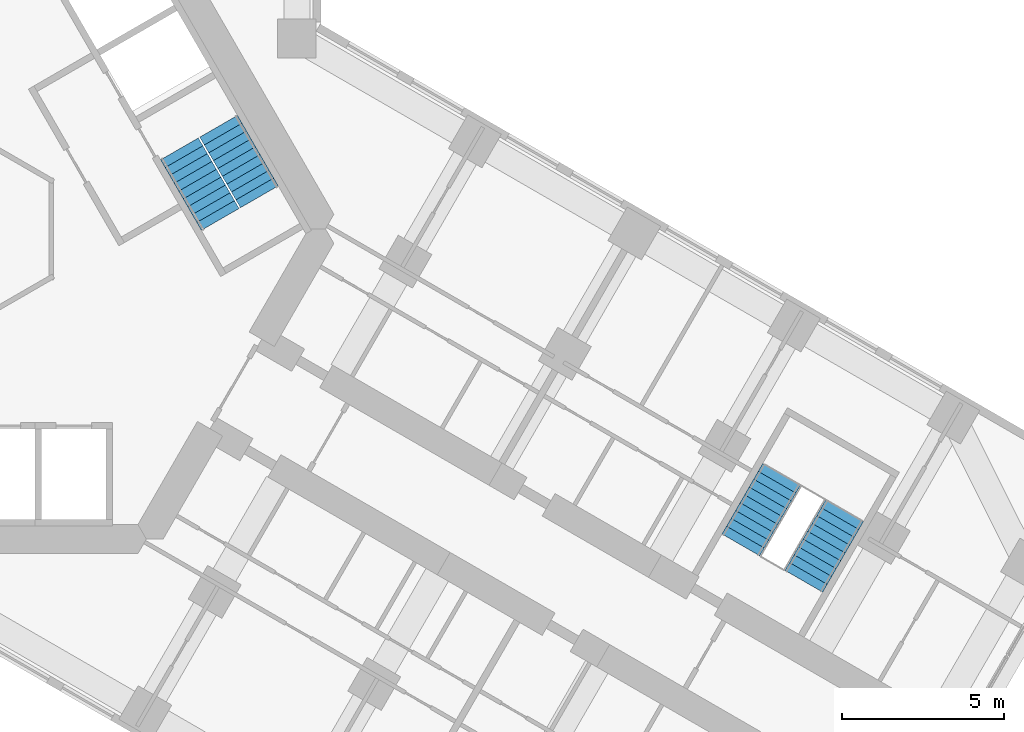
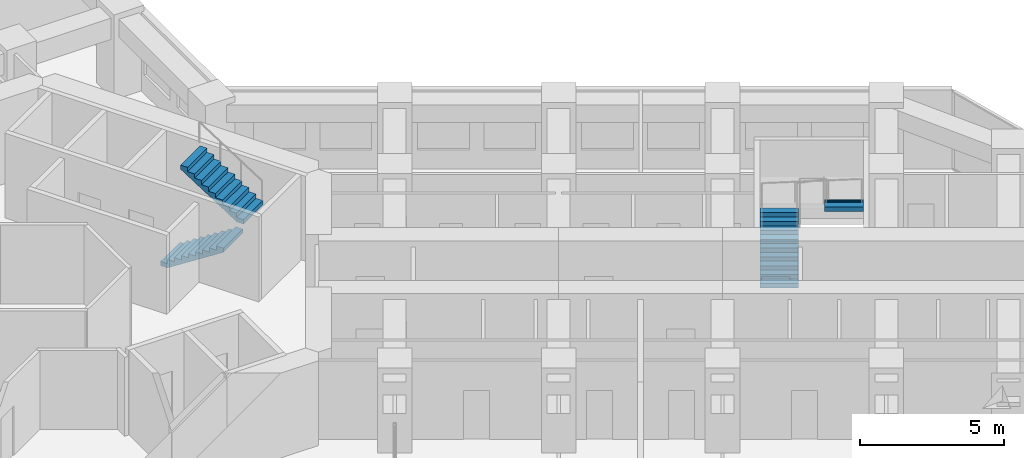
# One storey, part 19 of 20: 4 stair flights, 2 elements without a shape of their own.
"""IFC4 building model written with IfcOpenShell, lengths in metres."""

from ifc_helpers import new_model, si_unit, direction, frame, origin, place, context, subcontext, project, spatial, polyline, outline, extrude, material, type_object, element, aggregate, save


model = new_model("IFC4")

# Units and contexts
model_context = context("Model", 3, precision=1e-05, world=origin(), true_north=direction((0.0, 1.0)))
body_context = subcontext(model_context, "Body", "Model", "MODEL_VIEW")
ifc_project = project(units=[si_unit("LENGTHUNIT", "METRE"), si_unit("AREAUNIT", "SQUARE_METRE"), si_unit("VOLUMEUNIT", "CUBIC_METRE"), si_unit("PLANEANGLEUNIT", "RADIAN"), si_unit("MASSUNIT", "GRAM", prefix="KILO")], contexts=[model_context])

# Site, building, storey
site_placement = place(None, origin())
site = spatial("IfcSite", under=ifc_project, at=site_placement, CompositionType="ELEMENT")
building_placement = place(site_placement, origin())
building = spatial("IfcBuilding", under=site, at=building_placement, Name="Kosmar Iwan School Tower", CompositionType="ELEMENT")
storey_placement = place(building_placement, frame((0.0, 0.0, 123.800048828125)))
storey = spatial("IfcBuildingStorey", under=building, at=storey_placement, Name="L30", CompositionType="ELEMENT", Elevation=123.800048828125)

# Stair, stair flights
ifc_material_1 = material(Name="Concrete C35/45", Category="concrete")
stair_type_1 = type_object("IfcStairType", Name="Escape stair 3600", PredefinedType="HALF_TURN_STAIR", material=ifc_material_1)
stair_1_placement = place(storey_placement, origin())
stair_1 = element("IfcStair", 1, at=stair_1_placement, inside=storey, type_object=stair_type_1, Name="Stair WS3 L30", PredefinedType="HALF_TURN_STAIR")
ifc_material_2 = material(Name="Concrete C35/45", Category="concrete")
stair_flight_type_1 = type_object("IfcStairFlightType", Name="Escape stair flight 1350", PredefinedType="STRAIGHT", material=ifc_material_2)
stair_flight_1_placement = place(storey_placement, frame((23.94189453125, -9.781494140625, 0.0), z_axis=(0.0, 0.0, 1.0), x_axis=(0.5, 0.866025403784, 0.0)))
stair_flight_1 = element("IfcStairFlight", 2, at=stair_flight_1_placement, type_object=stair_flight_type_1, Name="WS3 flight 1", NumberOfRisers=10, NumberOfTreads=9, PredefinedType="STRAIGHT", RiserHeight=0.18, TreadLength=0.28, context=body_context, shape_type="SweptSolid", body=[
    extrude(outline(polyline([(0.0, 0.0), (0.0, 0.179931640625), (0.280029296875, 0.179931640625), (0.280029296875, 0.360107421875), (0.56005859375, 0.360107421875), (0.56005859375, 0.5400390625), (0.840087890625, 0.5400390625), (0.840087890625, 0.719970703125), (1.1201171875, 0.719970703125), (1.1201171875, 0.89990234375), (1.39990234375, 0.89990234375), (1.39990234375, 1.080078125), (1.679931640625, 1.080078125), (1.679931640625, 1.260009765625), (1.9599609375, 1.260009765625), (1.9599609375, 1.43994140625), (2.239990234375, 1.43994140625), (2.239990234375, 1.6201171875), (2.52001953125, 1.6201171875), (2.52001953125, 1.800048828125), (2.52001953125, 1.44189453125), (0.277099609375, 0.0), (0.0, 0.0)])), frame((0.0, 0.675048828125, 0.0), z_axis=(0.0, -1.0, 0.0), x_axis=(1.0, 0.0, 0.0)), (0.0, 0.0, 1.0), 1.35009765625),
])
stair_flight_2_placement = place(storey_placement, frame((27.150390625, -8.72412109375, 1.800048828125), z_axis=(0.0, 0.0, 1.0), x_axis=(-0.5, -0.866025403784, 0.0)))
stair_flight_2 = element("IfcStairFlight", 3, at=stair_flight_2_placement, type_object=stair_flight_type_1, Name="WS3 flight 2", NumberOfRisers=10, NumberOfTreads=9, PredefinedType="STRAIGHT", RiserHeight=0.18, TreadLength=0.28, context=body_context, shape_type="SweptSolid", body=[
    extrude(outline(polyline([(0.0, 0.0), (0.0, 0.179931640625), (0.280029296875, 0.179931640625), (0.280029296875, 0.360107421875), (0.56005859375, 0.360107421875), (0.56005859375, 0.5400390625), (0.840087890625, 0.5400390625), (0.840087890625, 0.719970703125), (1.1201171875, 0.719970703125), (1.1201171875, 0.89990234375), (1.39990234375, 0.89990234375), (1.39990234375, 1.080078125), (1.679931640625, 1.080078125), (1.679931640625, 1.260009765625), (1.9599609375, 1.260009765625), (1.9599609375, 1.43994140625), (2.239990234375, 1.43994140625), (2.239990234375, 1.6201171875), (2.52001953125, 1.6201171875), (2.52001953125, 1.800048828125), (2.52001953125, 1.44189453125), (0.277099609375, 0.0), (0.0, 0.0)])), frame((0.0, 0.675048828125, 0.0), z_axis=(0.0, -1.0, 0.0), x_axis=(1.0, 0.0, 0.0)), (0.0, 0.0, 1.0), 1.35009765625),
])
aggregate(stair_1, [stair_flight_1, stair_flight_2])

ifc_material_3 = material(Name="Concrete C35/45", Category="concrete")
stair_type_2 = type_object("IfcStairType", Name="Core stair 2750", PredefinedType="HALF_TURN_STAIR", material=ifc_material_3)
stair_2_placement = place(storey_placement, origin())
stair_2 = element("IfcStair", 4, at=stair_2_placement, inside=storey, type_object=stair_type_2, Name="Stair ST1 L30", PredefinedType="HALF_TURN_STAIR")
ifc_material_4 = material(Name="Concrete C35/45", Category="concrete")
stair_flight_type_2 = type_object("IfcStairFlightType", Name="Stair flight 1350", PredefinedType="STRAIGHT", material=ifc_material_4)
stair_flight_3_placement = place(storey_placement, frame((6.567138671875, 2.475341796875, 0.0), z_axis=(0.0, 0.0, 1.0), x_axis=(0.5, -0.866025403784, 0.0)))
stair_flight_3 = element("IfcStairFlight", 5, at=stair_flight_3_placement, type_object=stair_flight_type_2, Name="ST1 flight 1", NumberOfRisers=10, NumberOfTreads=9, PredefinedType="STRAIGHT", RiserHeight=0.18, TreadLength=0.28, context=body_context, shape_type="SweptSolid", body=[
    extrude(outline(polyline([(0.0, 0.0), (0.0, 0.179931640625), (0.280029296875, 0.179931640625), (0.280029296875, 0.360107421875), (0.56005859375, 0.360107421875), (0.56005859375, 0.5400390625), (0.840087890625, 0.5400390625), (0.840087890625, 0.719970703125), (1.1201171875, 0.719970703125), (1.1201171875, 0.89990234375), (1.39990234375, 0.89990234375), (1.39990234375, 1.080078125), (1.679931640625, 1.080078125), (1.679931640625, 1.260009765625), (1.9599609375, 1.260009765625), (1.9599609375, 1.43994140625), (2.239990234375, 1.43994140625), (2.239990234375, 1.6201171875), (2.52001953125, 1.6201171875), (2.52001953125, 1.800048828125), (2.52001953125, 1.44189453125), (0.277099609375, 0.0), (0.0, 0.0)])), frame((0.0, 0.675048828125, 0.0), z_axis=(0.0, -1.0, 0.0), x_axis=(1.0, 0.0, 0.0)), (0.0, 0.0, 1.0), 1.35009765625),
])
stair_flight_4_placement = place(storey_placement, frame((9.03955078125, 0.992919921875, 1.800048828125), z_axis=(0.0, 0.0, 1.0), x_axis=(-0.5, 0.866025403784, 0.0)))
stair_flight_4 = element("IfcStairFlight", 6, at=stair_flight_4_placement, type_object=stair_flight_type_2, Name="ST1 flight 2", NumberOfRisers=10, NumberOfTreads=9, PredefinedType="STRAIGHT", RiserHeight=0.18, TreadLength=0.28, context=body_context, shape_type="SweptSolid", body=[
    extrude(outline(polyline([(0.0, 0.0), (0.0, 0.179931640625), (0.280029296875, 0.179931640625), (0.280029296875, 0.360107421875), (0.56005859375, 0.360107421875), (0.56005859375, 0.5400390625), (0.840087890625, 0.5400390625), (0.840087890625, 0.719970703125), (1.1201171875, 0.719970703125), (1.1201171875, 0.89990234375), (1.39990234375, 0.89990234375), (1.39990234375, 1.080078125), (1.679931640625, 1.080078125), (1.679931640625, 1.260009765625), (1.9599609375, 1.260009765625), (1.9599609375, 1.43994140625), (2.239990234375, 1.43994140625), (2.239990234375, 1.6201171875), (2.52001953125, 1.6201171875), (2.52001953125, 1.800048828125), (2.52001953125, 1.44189453125), (0.277099609375, 0.0), (0.0, 0.0)])), frame((0.0, 0.675048828125, 0.0), z_axis=(0.0, -1.0, 0.0), x_axis=(1.0, 0.0, 0.0)), (0.0, 0.0, 1.0), 1.35009765625),
])
aggregate(stair_2, [stair_flight_3, stair_flight_4])

save(model, "model.ifc")
